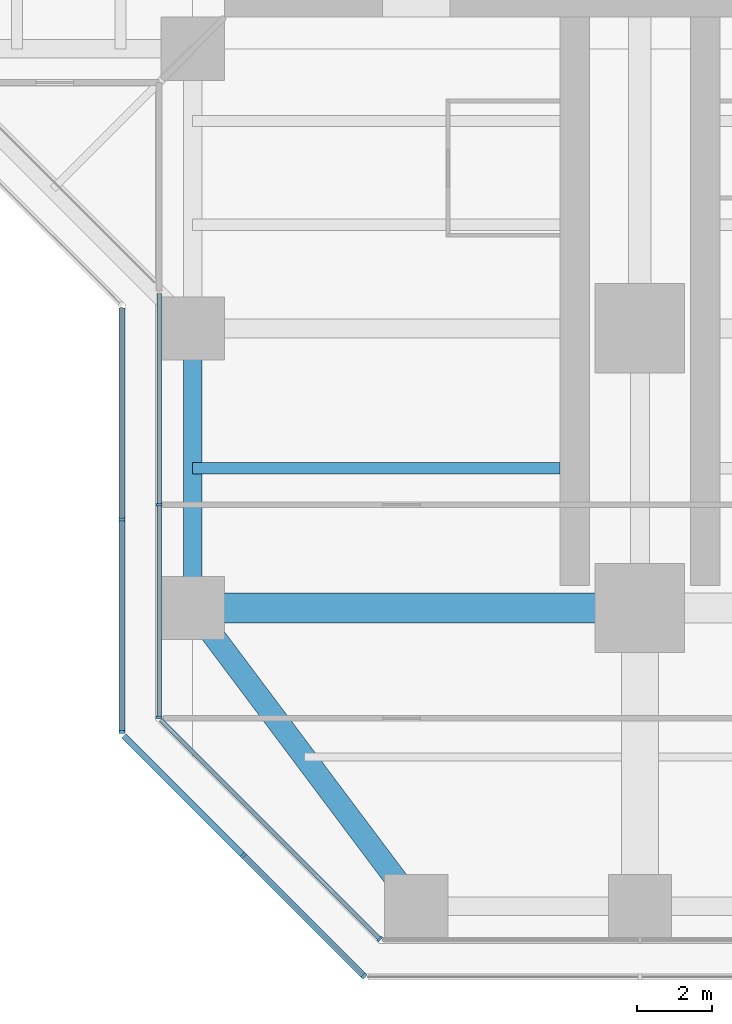
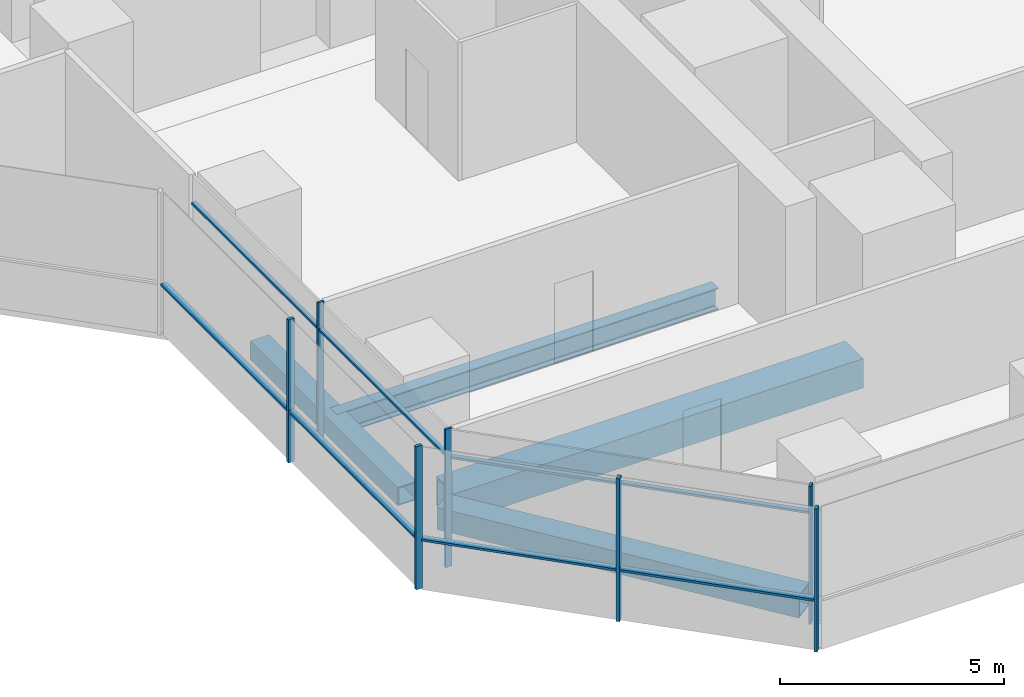
# One storey, part 2 of 22: 14 members, 4 beams, 4 elements without a shape of their own.
"""IFC4 building model written with IfcOpenShell, lengths in metres."""

from ifc_helpers import new_model, si_unit, direction, frame, origin, origin_2d, place, context, subcontext, project, spatial, rectangle, hollow_rectangle, i_section, extrude, material, material_profile, profile_set, type_object, element, aggregate, save


model = new_model("IFC4")

# Units and contexts
model_context = context("Model", 3, precision=1e-05, world=origin(), true_north=direction((0.0, 1.0)))
body_context = subcontext(model_context, "Body", "Model", "MODEL_VIEW")
ifc_project = project(units=[si_unit("LENGTHUNIT", "METRE"), si_unit("AREAUNIT", "SQUARE_METRE"), si_unit("VOLUMEUNIT", "CUBIC_METRE"), si_unit("PLANEANGLEUNIT", "RADIAN"), si_unit("MASSUNIT", "GRAM", prefix="KILO")], contexts=[model_context])

# Site, building, storey
site_placement = place(None, origin())
site = spatial("IfcSite", under=ifc_project, at=site_placement, CompositionType="ELEMENT")
building_placement = place(site_placement, origin())
building = spatial("IfcBuilding", under=site, at=building_placement, Name="Mizan Broadcast Tower", CompositionType="ELEMENT")
storey_placement = place(building_placement, frame((0.0, 0.0, 90.300048828125)))
storey = spatial("IfcBuildingStorey", under=building, at=storey_placement, Name="L19", CompositionType="ELEMENT", Elevation=90.300048828125)

# Beams
ifc_material_1 = material(Name="Steel S355", Category="steel")
ifc_material_profile_1 = material_profile(ifc_material_1, hollow_rectangle(XDim=0.5, YDim=0.5, WallThickness=0.030029296875, at=origin_2d()), Name="BOX 500x500x30")
ifc_profile_set_1 = profile_set([ifc_material_profile_1], Name="Steel S355")
beam_type_1 = type_object("IfcBeamType", Name="EDGE BEAM BOX 500x500x30", PredefinedType="SPANDREL", material=ifc_profile_set_1)
beam_1_placement = place(storey_placement, frame((-12.0, -19.949951171875, -0.380126953125), z_axis=(0.0, -1.0, 0.0), x_axis=(1.0, 0.0, 0.0)))
element("IfcBeam", 1, at=beam_1_placement, inside=storey, type_object=beam_type_1, Name="Edge beam BOX 500x500x30 L19 south arm", PredefinedType="SPANDREL", context=body_context, shape_type="SweptSolid", body=[
    extrude(hollow_rectangle(XDim=0.5, YDim=0.5, WallThickness=0.030029296875, at=origin_2d()), origin(), (0.0, 0.0, 1.0), 6.60009765625),
])
ifc_material_2 = material(Name="Steel S355", Category="steel")
ifc_material_profile_2 = material_profile(ifc_material_2, hollow_rectangle(XDim=0.60009765625, YDim=0.60009765625, WallThickness=0.030029296875, at=origin_2d()), Name="BOX 600x600x30")
ifc_profile_set_2 = profile_set([ifc_material_profile_2], Name="Steel S355")
beam_type_2 = type_object("IfcBeamType", Name="EDGE BEAM BOX 600x600x30", PredefinedType="SPANDREL", material=ifc_profile_set_2)
beam_2_placement = place(storey_placement, frame((-11.639892578125, -27.47998046875, -0.429931640625), z_axis=(0.599982243973, -0.800013316712, 0.0), x_axis=(0.800013316712, 0.599982243973, 0.0)))
element("IfcBeam", 2, at=beam_2_placement, inside=storey, type_object=beam_type_2, Name="Edge beam BOX 600x600x30 L19 south arm", PredefinedType="SPANDREL", context=body_context, shape_type="SweptSolid", body=[
    extrude(hollow_rectangle(XDim=0.60009765625, YDim=0.60009765625, WallThickness=0.030029296875, at=origin_2d()), origin(), (0.0, 0.0, 1.0), 8.7998046875),
])
ifc_material_3 = material(Name="Steel S460", Category="steel")
ifc_material_profile_3 = material_profile(ifc_material_3, hollow_rectangle(XDim=0.800048828125, YDim=0.800048828125, WallThickness=0.050048828125, at=origin_2d()), Name="BOX 800x800x50")
ifc_profile_set_3 = profile_set([ifc_material_profile_3], Name="Steel S460")
beam_type_3 = type_object("IfcBeamType", Name="GIRDER BOX 800x800x50", PredefinedType="BEAM", material=ifc_profile_set_3)
beam_3_placement = place(storey_placement, frame((-11.280029296875, -27.0, -0.530029296875), z_axis=(1.0, 0.0, 0.0), x_axis=(0.0, 1.0, 0.0)))
element("IfcBeam", 3, at=beam_3_placement, inside=storey, type_object=beam_type_3, Name="Girder BOX 800x800x50 L19 south arm", PredefinedType="BEAM", context=body_context, shape_type="SweptSolid", body=[
    extrude(hollow_rectangle(XDim=0.800048828125, YDim=0.800048828125, WallThickness=0.050048828125, at=origin_2d()), origin(), (0.0, 0.0, 1.0), 10.56005859375),
])

# Curtain wall, members
ifc_material_4 = material(Name="Aluminium framed glazing", Category="aluminium")
curtain_wall_type_1 = type_object("IfcCurtainWallType", Name="INNER SKIN LOW ZONE", PredefinedType="USERDEFINED", material=ifc_material_4)
curtain_wall_1_placement = place(storey_placement, origin())
curtain_wall_1 = element("IfcCurtainWall", 4, at=curtain_wall_1_placement, inside=storey, type_object=curtain_wall_type_1, Name="Inner skin low zone L19 S side", ObjectType="INNER SKIN LOW ZONE", PredefinedType="USERDEFINED")
ifc_material_5 = material(Name="Aluminium, pale anodised", Category="aluminium")
ifc_material_profile_4 = material_profile(ifc_material_5, rectangle(XDim=0.159912109375, YDim=0.06005859375, at=origin_2d()), Name="MULLION 160x60")
ifc_profile_set_4 = profile_set([ifc_material_profile_4], Name="Aluminium, pale anodised")
member_type_1 = type_object("IfcMemberType", Name="INNER SKIN MULLION 60x160", PredefinedType="MULLION", material=ifc_profile_set_4)
member_1_placement = place(storey_placement, frame((-12.89990234375, -24.229248046875, 0.0), z_axis=(0.0, 0.0, 1.0), x_axis=(1.0, 0.0, 0.0)))
member_1 = element("IfcMember", 5, at=member_1_placement, type_object=member_type_1, Name="Inner skin low zone L19 S side mullion 2", PredefinedType="MULLION", context=body_context, shape_type="SweptSolid", body=[
    extrude(rectangle(XDim=0.159912109375, YDim=0.06005859375, at=origin_2d()), origin(), (0.0, 0.0, 1.0), 3.77001953125),
])
member_2_placement = place(storey_placement, frame((-12.89990234375, -29.928466796875, 0.0), z_axis=(0.0, 0.0, 1.0), x_axis=(1.0, 0.0, 0.0)))
member_2 = element("IfcMember", 6, at=member_2_placement, type_object=member_type_1, Name="Inner skin low zone L19 S side mullion 3", PredefinedType="MULLION", context=body_context, shape_type="SweptSolid", body=[
    extrude(rectangle(XDim=0.159912109375, YDim=0.06005859375, at=origin_2d()), origin(), (0.0, 0.0, 1.0), 3.77001953125),
])

# Curtain wall, member
curtain_wall_2_placement = place(storey_placement, origin())
curtain_wall_2 = element("IfcCurtainWall", 7, at=curtain_wall_2_placement, inside=storey, type_object=curtain_wall_type_1, Name="Inner skin low zone L19 S chamfer", ObjectType="INNER SKIN LOW ZONE", PredefinedType="USERDEFINED")
member_3_placement = place(storey_placement, frame((-6.979736328125, -35.87890625, 0.0), z_axis=(0.0, 0.0, 1.0), x_axis=(0.707106781187, 0.707106781187, 0.0)))
member_3 = element("IfcMember", 8, at=member_3_placement, type_object=member_type_1, Name="Inner skin low zone L19 S chamfer mullion 2", PredefinedType="MULLION", context=body_context, shape_type="SweptSolid", body=[
    extrude(rectangle(XDim=0.159912109375, YDim=0.06005859375, at=origin_2d()), origin(), (0.0, 0.0, 1.0), 3.77001953125),
])

# Member
ifc_material_6 = material(Name="Aluminium, pale anodised", Category="aluminium")
ifc_material_profile_5 = material_profile(ifc_material_6, rectangle(XDim=0.1201171875, YDim=0.06005859375, at=origin_2d()), Name="TRANSOM 120x60")
ifc_profile_set_5 = profile_set([ifc_material_profile_5], Name="Aluminium, pale anodised")
member_type_2 = type_object("IfcMemberType", Name="INNER SKIN TRANSOM 60x120", PredefinedType="USERDEFINED", material=ifc_profile_set_5)
member_4_placement = place(storey_placement, frame((-12.89990234375, -18.56005859375, 3.030029296875), z_axis=(0.0, -1.0, 0.0), x_axis=(1.0, 0.0, 0.0)))
member_4 = element("IfcMember", 9, at=member_4_placement, type_object=member_type_2, Name="Inner skin low zone L19 S side transom 1.1", ObjectType="TRANSOM", PredefinedType="USERDEFINED", context=body_context, shape_type="SweptSolid", body=[
    extrude(rectangle(XDim=0.1201171875, YDim=0.06005859375, at=origin_2d()), origin(), (0.0, 0.0, 1.0), 5.63916015625),
])

member_5_placement = place(storey_placement, frame((-12.89990234375, -24.25927734375, 3.030029296875), z_axis=(0.0, -1.0, 0.0), x_axis=(1.0, 0.0, 0.0)))
member_5 = element("IfcMember", 10, at=member_5_placement, type_object=member_type_2, Name="Inner skin low zone L19 S side transom 2.1", ObjectType="TRANSOM", PredefinedType="USERDEFINED", context=body_context, shape_type="SweptSolid", body=[
    extrude(rectangle(XDim=0.1201171875, YDim=0.06005859375, at=origin_2d()), origin(), (0.0, 0.0, 1.0), 5.639404296875),
])

aggregate(curtain_wall_1, [member_1, member_2, member_4, member_5])

member_6_placement = place(storey_placement, frame((-12.857666015625, -30.0009765625, 3.030029296875), z_axis=(0.707106781187, -0.707106781187, 0.0), x_axis=(0.707106781187, 0.707106781187, 0.0)))
member_6 = element("IfcMember", 11, at=member_6_placement, type_object=member_type_2, Name="Inner skin low zone L19 S chamfer transom 1.1", ObjectType="TRANSOM", PredefinedType="USERDEFINED", context=body_context, shape_type="SweptSolid", body=[
    extrude(rectangle(XDim=0.1201171875, YDim=0.06005859375, at=origin_2d()), origin(), (0.0, 0.0, 1.0), 8.28271484375),
])

aggregate(curtain_wall_2, [member_3, member_6])

# Curtain wall, members
ifc_material_7 = material(Name="Aluminium framed glazing", Category="aluminium")
curtain_wall_type_2 = type_object("IfcCurtainWallType", Name="OUTER SKIN", PredefinedType="USERDEFINED", material=ifc_material_7)
curtain_wall_3_placement = place(storey_placement, origin())
curtain_wall_3 = element("IfcCurtainWall", 12, at=curtain_wall_3_placement, inside=storey, type_object=curtain_wall_type_2, Name="Outer skin L19 S side", ObjectType="OUTER SKIN", PredefinedType="USERDEFINED")
ifc_material_8 = material(Name="Aluminium, pale anodised", Category="aluminium")
ifc_material_profile_6 = material_profile(ifc_material_8, rectangle(XDim=0.159912109375, YDim=0.080078125, at=origin_2d()), Name="MULLION 160x80")
ifc_profile_set_6 = profile_set([ifc_material_profile_6], Name="Aluminium, pale anodised")
member_type_3 = type_object("IfcMemberType", Name="OUTER SKIN MULLION 80x160", PredefinedType="MULLION", material=ifc_profile_set_6)
member_7_placement = place(storey_placement, frame((-13.89990234375, -24.622802734375, 0.0), z_axis=(0.0, 0.0, 1.0), x_axis=(1.0, 0.0, 0.0)))
member_7 = element("IfcMember", 13, at=member_7_placement, type_object=member_type_3, Name="Outer skin L19 S side mullion 2", PredefinedType="MULLION", context=body_context, shape_type="SweptSolid", body=[
    extrude(rectangle(XDim=0.159912109375, YDim=0.080078125, at=origin_2d()), origin(), (0.0, 0.0, 1.0), 3.89990234375),
])
member_8_placement = place(storey_placement, frame((-13.89990234375, -30.332763671875, 0.0), z_axis=(0.0, 0.0, 1.0), x_axis=(1.0, 0.0, 0.0)))
member_8 = element("IfcMember", 14, at=member_8_placement, type_object=member_type_3, Name="Outer skin L19 S side mullion 3", PredefinedType="MULLION", context=body_context, shape_type="SweptSolid", body=[
    extrude(rectangle(XDim=0.159912109375, YDim=0.080078125, at=origin_2d()), origin(), (0.0, 0.0, 1.0), 3.89990234375),
])

curtain_wall_4_placement = place(storey_placement, origin())
curtain_wall_4 = element("IfcCurtainWall", 15, at=curtain_wall_4_placement, inside=storey, type_object=curtain_wall_type_2, Name="Outer skin L19 S chamfer", ObjectType="OUTER SKIN", PredefinedType="USERDEFINED")
member_9_placement = place(storey_placement, frame((-10.636474609375, -33.636474609375, 0.0), z_axis=(0.0, 0.0, 1.0), x_axis=(0.707106781187, 0.707106781187, 0.0)))
member_9 = element("IfcMember", 16, at=member_9_placement, type_object=member_type_3, Name="Outer skin L19 S chamfer mullion 2", PredefinedType="MULLION", context=body_context, shape_type="SweptSolid", body=[
    extrude(rectangle(XDim=0.159912109375, YDim=0.080078125, at=origin_2d()), origin(), (0.0, 0.0, 1.0), 3.89990234375),
])
member_10_placement = place(storey_placement, frame((-7.401123046875, -36.871826171875, 0.0), z_axis=(0.0, 0.0, 1.0), x_axis=(0.707106781187, 0.707106781187, 0.0)))
member_10 = element("IfcMember", 17, at=member_10_placement, type_object=member_type_3, Name="Outer skin L19 S chamfer mullion 3", PredefinedType="MULLION", context=body_context, shape_type="SweptSolid", body=[
    extrude(rectangle(XDim=0.159912109375, YDim=0.080078125, at=origin_2d()), origin(), (0.0, 0.0, 1.0), 3.89990234375),
])

# Member
ifc_material_9 = material(Name="Aluminium, pale anodised", Category="aluminium")
ifc_material_profile_7 = material_profile(ifc_material_9, rectangle(XDim=0.159912109375, YDim=0.06005859375, at=origin_2d()), Name="TRANSOM 160x60")
ifc_profile_set_7 = profile_set([ifc_material_profile_7], Name="Aluminium, pale anodised")
member_type_4 = type_object("IfcMemberType", Name="OUTER SKIN TRANSOM 60x160", PredefinedType="USERDEFINED", material=ifc_profile_set_7)
member_11_placement = place(storey_placement, frame((-13.89990234375, -18.952880859375, 1.39990234375), z_axis=(0.0, -1.0, 0.0), x_axis=(1.0, 0.0, 0.0)))
member_11 = element("IfcMember", 18, at=member_11_placement, type_object=member_type_4, Name="Outer skin L19 S side transom 1.1", ObjectType="TRANSOM", PredefinedType="USERDEFINED", context=body_context, shape_type="SweptSolid", body=[
    extrude(rectangle(XDim=0.159912109375, YDim=0.06005859375, at=origin_2d()), origin(), (0.0, 0.0, 1.0), 5.6298828125),
])

member_12_placement = place(storey_placement, frame((-13.89990234375, -24.662841796875, 1.39990234375), z_axis=(0.0, -1.0, 0.0), x_axis=(1.0, 0.0, 0.0)))
member_12 = element("IfcMember", 19, at=member_12_placement, type_object=member_type_4, Name="Outer skin L19 S side transom 2.1", ObjectType="TRANSOM", PredefinedType="USERDEFINED", context=body_context, shape_type="SweptSolid", body=[
    extrude(rectangle(XDim=0.159912109375, YDim=0.06005859375, at=origin_2d()), origin(), (0.0, 0.0, 1.0), 5.6298828125),
])

aggregate(curtain_wall_3, [member_7, member_8, member_11, member_12])

member_13_placement = place(storey_placement, frame((-13.843505859375, -30.429443359375, 1.39990234375), z_axis=(0.707106781187, -0.707106781187, 0.0), x_axis=(0.707106781187, 0.707106781187, 0.0)))
member_13 = element("IfcMember", 20, at=member_13_placement, type_object=member_type_4, Name="Outer skin L19 S chamfer transom 1.1", ObjectType="TRANSOM", PredefinedType="USERDEFINED", context=body_context, shape_type="SweptSolid", body=[
    extrude(rectangle(XDim=0.159912109375, YDim=0.06005859375, at=origin_2d()), origin(), (0.0, 0.0, 1.0), 4.495361328125),
])

member_14_placement = place(storey_placement, frame((-10.608154296875, -33.664794921875, 1.39990234375), z_axis=(0.707106781187, -0.707106781187, 0.0), x_axis=(0.707106781187, 0.707106781187, 0.0)))
member_14 = element("IfcMember", 21, at=member_14_placement, type_object=member_type_4, Name="Outer skin L19 S chamfer transom 2.1", ObjectType="TRANSOM", PredefinedType="USERDEFINED", context=body_context, shape_type="SweptSolid", body=[
    extrude(rectangle(XDim=0.159912109375, YDim=0.06005859375, at=origin_2d()), origin(), (0.0, 0.0, 1.0), 4.495361328125),
])

aggregate(curtain_wall_4, [member_9, member_10, member_13, member_14])

# Beam
ifc_material_10 = material(Name="Steel S355", Category="steel")
ifc_material_profile_8 = material_profile(ifc_material_10, i_section(OverallWidth=0.300048828125, OverallDepth=0.590087890625, WebThickness=0.012939453125, FlangeThickness=0.02490234375, FilletRadius=0.027099609375, at=origin_2d()), Name="HEA 600")
ifc_profile_set_8 = profile_set([ifc_material_profile_8], Name="Steel S355")
beam_type_4 = type_object("IfcBeamType", Name="SECONDARY BEAM HEA 600", PredefinedType="JOIST", material=ifc_profile_set_8)
beam_4_placement = place(storey_placement, frame((-12.0, -23.25, -0.425048828125), z_axis=(1.0, 0.0, 0.0), x_axis=(0.0, 1.0, 0.0)))
element("IfcBeam", 22, at=beam_4_placement, inside=storey, type_object=beam_type_4, Name="Secondary beam HEA 600 L19 south arm", PredefinedType="JOIST", context=body_context, shape_type="SweptSolid", body=[
    extrude(i_section(OverallWidth=0.300048828125, OverallDepth=0.590087890625, WebThickness=0.012939453125, FlangeThickness=0.02490234375, FilletRadius=0.027099609375, at=origin_2d()), origin(), (0.0, 0.0, 1.0), 9.85009765625),
])

save(model, "model.ifc")
